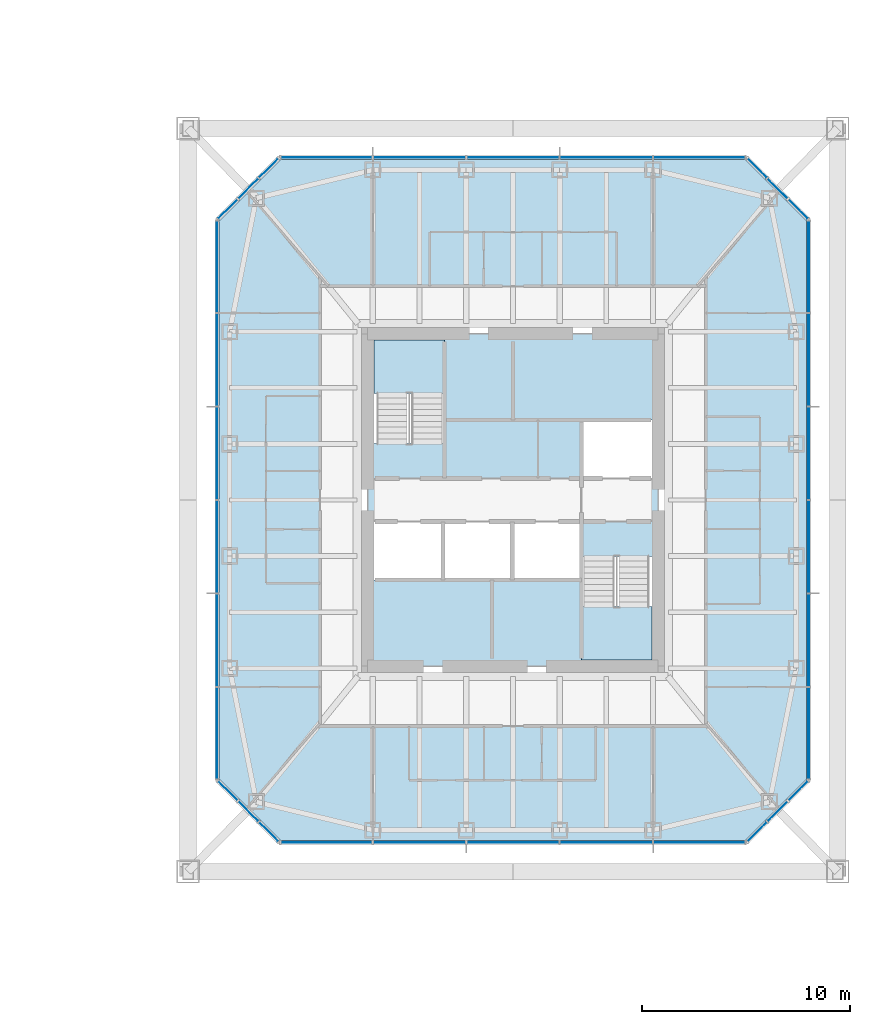
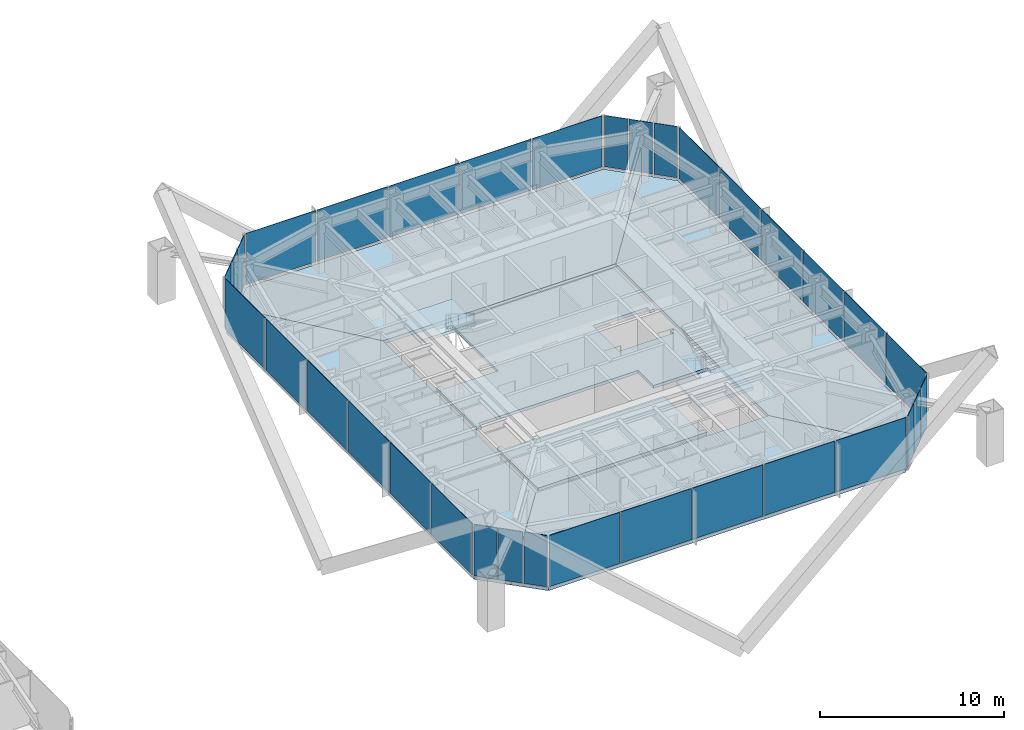
# One storey, part 10 of 23: 34 plates, 8 slabs, 10 elements without a shape of their own.
"""IFC4 building model written with IfcOpenShell, lengths in metres."""

from ifc_helpers import new_model, si_unit, direction, frame, origin, origin_2d, place, context, subcontext, project, spatial, polyline, rectangle, outline, extrude, material, layer, layer_set, constituent, constituent_set, type_object, element, aggregate, save


model = new_model("IFC4")

# Units and contexts
model_context = context("Model", 3, precision=1e-05, world=origin(), true_north=direction((0.0, 1.0)))
body_context = subcontext(model_context, "Body", "Model", "MODEL_VIEW")
ifc_project = project(units=[si_unit("LENGTHUNIT", "METRE"), si_unit("AREAUNIT", "SQUARE_METRE"), si_unit("VOLUMEUNIT", "CUBIC_METRE"), si_unit("PLANEANGLEUNIT", "RADIAN"), si_unit("MASSUNIT", "GRAM", prefix="KILO")], contexts=[model_context])

# Site, building, storey
site_placement = place(None, origin())
site = spatial("IfcSite", under=ifc_project, at=site_placement, CompositionType="ELEMENT")
building_placement = place(site_placement, origin())
building = spatial("IfcBuilding", under=site, at=building_placement, Name="Iwan Alto Co-Living Towers", CompositionType="ELEMENT")
storey_placement = place(building_placement, frame((0.0, 0.0, 122.5)))
storey = spatial("IfcBuildingStorey", under=building, at=storey_placement, Name="L33", CompositionType="ELEMENT", Elevation=122.5)

# Slabs
ifc_material_1 = material(Name="Concrete f'c 30 MPa", Category="concrete")
ifc_layer_1 = layer(ifc_material_1, 0.199951171875)
ifc_layer_set_1 = layer_set([ifc_layer_1], Name="CORE FLOOR SLAB 200")
slab_type_1 = type_object("IfcSlabType", Name="CORE FLOOR SLAB 200", PredefinedType="FLOOR", material=ifc_layer_set_1)
slab_1_placement = place(storey_placement, frame((0.0, 0.0, -0.199951171875)))
element("IfcSlab", 1, at=slab_1_placement, inside=storey, type_object=slab_type_1, Name="T2 core floor L33", PredefinedType="FLOOR", context=body_context, shape_type="SweptSolid", body=[
    extrude(outline(polyline([(70.0, -3.030029296875), (69.699951171875, -3.030029296875), (69.699951171875, -2.719970703125), (66.300048828125, -2.719970703125), (66.300048828125, -1.050048828125), (62.967041015625, -1.050048828125), (59.633056640625, -1.050048828125), (56.300048828125, -1.050048828125), (56.300048828125, -1.360107421875), (56.0, -1.360107421875), (56.0, 3.030029296875), (56.300048828125, 3.030029296875), (56.300048828125, 2.719970703125), (59.699951171875, 2.719970703125), (59.699951171875, 7.699951171875), (59.389892578125, 7.699951171875), (59.389892578125, 8.0), (70.0, 8.0), (70.0, 3.5400390625), (69.699951171875, 3.5400390625), (69.699951171875, 3.85009765625), (66.300048828125, 3.85009765625), (66.300048828125, 1.050048828125), (69.699951171875, 1.050048828125), (69.699951171875, 1.360107421875), (70.0, 1.360107421875), (70.0, -3.030029296875)])), origin(), (0.0, 0.0, 1.0), 0.199951171875),
])
slab_2_placement = place(storey_placement, frame((0.0, 0.0, -0.199951171875)))
element("IfcSlab", 2, at=slab_2_placement, inside=storey, type_object=slab_type_1, Name="T2 core floor L33", PredefinedType="FLOOR", context=body_context, shape_type="SweptSolid", body=[
    extrude(outline(polyline([(62.967041015625, -3.85009765625), (66.300048828125, -3.85009765625), (66.300048828125, -7.699951171875), (66.610107421875, -7.699951171875), (66.610107421875, -8.0), (56.0, -8.0), (56.0, -3.5400390625), (56.300048828125, -3.5400390625), (56.300048828125, -3.85009765625), (59.633056640625, -3.85009765625), (62.967041015625, -3.85009765625)])), origin(), (0.0, 0.0, 1.0), 0.199951171875),
])

# Curtain wall, plates
ifc_material_2 = material(Name="Bronze aluminium unitised frame", Category="aluminium")
curtain_wall_type_1 = type_object("IfcCurtainWallType", Name="CURTAIN WALL CW-C", PredefinedType="NOTDEFINED", material=ifc_material_2)
curtain_wall_1_placement = place(storey_placement, origin())
curtain_wall_1 = element("IfcCurtainWall", 3, at=curtain_wall_1_placement, inside=storey, type_object=curtain_wall_type_1, Name="T2 curtain wall S L33", PredefinedType="NOTDEFINED")
ifc_material_3 = material(Name="Bronze-tinted insulating glass", Category="glass")
ifc_layer_2 = layer(ifc_material_3, 0.031982421875)
ifc_layer_set_2 = layer_set([ifc_layer_2], Name="CW-C PANEL TINTED IGU 32")
plate_type_1 = type_object("IfcPlateType", Name="CW-C PANEL TINTED IGU 32", PredefinedType="CURTAIN_PANEL", material=ifc_layer_set_2)
plate_1_placement = place(storey_placement, frame((58.5, -16.5, 0.10009765625), z_axis=(0.0, 0.0, 1.0), x_axis=(1.0, 0.0, 0.0)))
plate_1 = element("IfcPlate", 4, at=plate_1_placement, type_object=plate_type_1, Name="CW-C panel 2.1", PredefinedType="CURTAIN_PANEL", context=body_context, shape_type="SweptSolid", body=[
    extrude(rectangle(XDim=4.419921875, YDim=0.031982421875, at=origin_2d()), origin(), (0.0, 0.0, 1.0), 3.39990234375),
])
plate_2_placement = place(storey_placement, frame((63.0, -16.5, 0.10009765625), z_axis=(0.0, 0.0, 1.0), x_axis=(1.0, 0.0, 0.0)))
plate_2 = element("IfcPlate", 5, at=plate_2_placement, type_object=plate_type_1, Name="CW-C panel 3.1", PredefinedType="CURTAIN_PANEL", context=body_context, shape_type="SweptSolid", body=[
    extrude(rectangle(XDim=4.419921875, YDim=0.031982421875, at=origin_2d()), origin(), (0.0, 0.0, 1.0), 3.39990234375),
])
plate_3_placement = place(storey_placement, frame((67.5, -16.5, 0.10009765625), z_axis=(0.0, 0.0, 1.0), x_axis=(1.0, 0.0, 0.0)))
plate_3 = element("IfcPlate", 6, at=plate_3_placement, type_object=plate_type_1, Name="CW-C panel 4.1", PredefinedType="CURTAIN_PANEL", context=body_context, shape_type="SweptSolid", body=[
    extrude(rectangle(XDim=4.419921875, YDim=0.031982421875, at=origin_2d()), origin(), (0.0, 0.0, 1.0), 3.39990234375),
])

curtain_wall_2_placement = place(storey_placement, origin())
curtain_wall_2 = element("IfcCurtainWall", 7, at=curtain_wall_2_placement, inside=storey, type_object=curtain_wall_type_1, Name="T2 curtain wall E L33", PredefinedType="NOTDEFINED")
plate_4_placement = place(storey_placement, frame((77.25, -6.75, 0.10009765625), z_axis=(0.0, 0.0, 1.0), x_axis=(0.0, 1.0, 0.0)))
plate_4 = element("IfcPlate", 8, at=plate_4_placement, type_object=plate_type_1, Name="CW-C panel 2.1", PredefinedType="CURTAIN_PANEL", context=body_context, shape_type="SweptSolid", body=[
    extrude(rectangle(XDim=4.419921875, YDim=0.031982421875, at=origin_2d()), origin(), (0.0, 0.0, 1.0), 3.39990234375),
])
plate_5_placement = place(storey_placement, frame((77.25, -2.25, 0.10009765625), z_axis=(0.0, 0.0, 1.0), x_axis=(0.0, 1.0, 0.0)))
plate_5 = element("IfcPlate", 9, at=plate_5_placement, type_object=plate_type_1, Name="CW-C panel 3.1", PredefinedType="CURTAIN_PANEL", context=body_context, shape_type="SweptSolid", body=[
    extrude(rectangle(XDim=4.419921875, YDim=0.031982421875, at=origin_2d()), origin(), (0.0, 0.0, 1.0), 3.39990234375),
])
plate_6_placement = place(storey_placement, frame((77.25, 2.25, 0.10009765625), z_axis=(0.0, 0.0, 1.0), x_axis=(0.0, 1.0, 0.0)))
plate_6 = element("IfcPlate", 10, at=plate_6_placement, type_object=plate_type_1, Name="CW-C panel 4.1", PredefinedType="CURTAIN_PANEL", context=body_context, shape_type="SweptSolid", body=[
    extrude(rectangle(XDim=4.419921875, YDim=0.031982421875, at=origin_2d()), origin(), (0.0, 0.0, 1.0), 3.39990234375),
])
plate_7_placement = place(storey_placement, frame((77.25, 6.75, 0.10009765625), z_axis=(0.0, 0.0, 1.0), x_axis=(0.0, 1.0, 0.0)))
plate_7 = element("IfcPlate", 11, at=plate_7_placement, type_object=plate_type_1, Name="CW-C panel 5.1", PredefinedType="CURTAIN_PANEL", context=body_context, shape_type="SweptSolid", body=[
    extrude(rectangle(XDim=4.419921875, YDim=0.031982421875, at=origin_2d()), origin(), (0.0, 0.0, 1.0), 3.39990234375),
])

curtain_wall_3_placement = place(storey_placement, origin())
curtain_wall_3 = element("IfcCurtainWall", 12, at=curtain_wall_3_placement, inside=storey, type_object=curtain_wall_type_1, Name="T2 curtain wall N L33", PredefinedType="NOTDEFINED")
plate_8_placement = place(storey_placement, frame((67.5, 16.5, 0.10009765625), z_axis=(0.0, 0.0, 1.0), x_axis=(-1.0, 0.0, 0.0)))
plate_8 = element("IfcPlate", 13, at=plate_8_placement, type_object=plate_type_1, Name="CW-C panel 2.1", PredefinedType="CURTAIN_PANEL", context=body_context, shape_type="SweptSolid", body=[
    extrude(rectangle(XDim=4.419921875, YDim=0.031982421875, at=origin_2d()), origin(), (0.0, 0.0, 1.0), 3.39990234375),
])
plate_9_placement = place(storey_placement, frame((63.0, 16.5, 0.10009765625), z_axis=(0.0, 0.0, 1.0), x_axis=(-1.0, 0.0, 0.0)))
plate_9 = element("IfcPlate", 14, at=plate_9_placement, type_object=plate_type_1, Name="CW-C panel 3.1", PredefinedType="CURTAIN_PANEL", context=body_context, shape_type="SweptSolid", body=[
    extrude(rectangle(XDim=4.419921875, YDim=0.031982421875, at=origin_2d()), origin(), (0.0, 0.0, 1.0), 3.39990234375),
])
plate_10_placement = place(storey_placement, frame((58.5, 16.5, 0.10009765625), z_axis=(0.0, 0.0, 1.0), x_axis=(-1.0, 0.0, 0.0)))
plate_10 = element("IfcPlate", 15, at=plate_10_placement, type_object=plate_type_1, Name="CW-C panel 4.1", PredefinedType="CURTAIN_PANEL", context=body_context, shape_type="SweptSolid", body=[
    extrude(rectangle(XDim=4.419921875, YDim=0.031982421875, at=origin_2d()), origin(), (0.0, 0.0, 1.0), 3.39990234375),
])

curtain_wall_4_placement = place(storey_placement, origin())
curtain_wall_4 = element("IfcCurtainWall", 16, at=curtain_wall_4_placement, inside=storey, type_object=curtain_wall_type_1, Name="T2 curtain wall W L33", PredefinedType="NOTDEFINED")
plate_11_placement = place(storey_placement, frame((48.75, 6.75, 0.10009765625), z_axis=(0.0, 0.0, 1.0), x_axis=(0.0, -1.0, 0.0)))
plate_11 = element("IfcPlate", 17, at=plate_11_placement, type_object=plate_type_1, Name="CW-C panel 2.1", PredefinedType="CURTAIN_PANEL", context=body_context, shape_type="SweptSolid", body=[
    extrude(rectangle(XDim=4.419921875, YDim=0.031982421875, at=origin_2d()), origin(), (0.0, 0.0, 1.0), 3.39990234375),
])
plate_12_placement = place(storey_placement, frame((48.75, 2.25, 0.10009765625), z_axis=(0.0, 0.0, 1.0), x_axis=(0.0, -1.0, 0.0)))
plate_12 = element("IfcPlate", 18, at=plate_12_placement, type_object=plate_type_1, Name="CW-C panel 3.1", PredefinedType="CURTAIN_PANEL", context=body_context, shape_type="SweptSolid", body=[
    extrude(rectangle(XDim=4.419921875, YDim=0.031982421875, at=origin_2d()), origin(), (0.0, 0.0, 1.0), 3.39990234375),
])
plate_13_placement = place(storey_placement, frame((48.75, -2.25, 0.10009765625), z_axis=(0.0, 0.0, 1.0), x_axis=(0.0, -1.0, 0.0)))
plate_13 = element("IfcPlate", 19, at=plate_13_placement, type_object=plate_type_1, Name="CW-C panel 4.1", PredefinedType="CURTAIN_PANEL", context=body_context, shape_type="SweptSolid", body=[
    extrude(rectangle(XDim=4.419921875, YDim=0.031982421875, at=origin_2d()), origin(), (0.0, 0.0, 1.0), 3.39990234375),
])
plate_14_placement = place(storey_placement, frame((48.75, -6.75, 0.10009765625), z_axis=(0.0, 0.0, 1.0), x_axis=(0.0, -1.0, 0.0)))
plate_14 = element("IfcPlate", 20, at=plate_14_placement, type_object=plate_type_1, Name="CW-C panel 5.1", PredefinedType="CURTAIN_PANEL", context=body_context, shape_type="SweptSolid", body=[
    extrude(rectangle(XDim=4.419921875, YDim=0.031982421875, at=origin_2d()), origin(), (0.0, 0.0, 1.0), 3.39990234375),
])

# Plate
ifc_material_4 = material(Name="Insulated bronze aluminium spandrel panel", Category="aluminium")
ifc_layer_3 = layer(ifc_material_4, 0.031982421875)
ifc_layer_set_3 = layer_set([ifc_layer_3], Name="CW-C SPANDREL PANEL 32")
plate_type_2 = type_object("IfcPlateType", Name="CW-C SPANDREL PANEL 32", PredefinedType="CURTAIN_PANEL", material=ifc_layer_set_3)
plate_15_placement = place(storey_placement, frame((54.02001953125, -16.5, 0.10009765625), z_axis=(0.0, 0.0, 1.0), x_axis=(1.0, 0.0, 0.0)))
plate_15 = element("IfcPlate", 21, at=plate_15_placement, type_object=plate_type_2, Name="CW-C spandrel panel 1.1 (braced bay)", PredefinedType="CURTAIN_PANEL", context=body_context, shape_type="SweptSolid", body=[
    extrude(rectangle(XDim=4.3798828125, YDim=0.031982421875, at=origin_2d()), origin(), (0.0, 0.0, 1.0), 3.39990234375),
])

plate_16_placement = place(storey_placement, frame((71.97998046875, -16.5, 0.10009765625), z_axis=(0.0, 0.0, 1.0), x_axis=(1.0, 0.0, 0.0)))
plate_16 = element("IfcPlate", 22, at=plate_16_placement, type_object=plate_type_2, Name="CW-C spandrel panel 5.1 (braced bay)", PredefinedType="CURTAIN_PANEL", context=body_context, shape_type="SweptSolid", body=[
    extrude(rectangle(XDim=4.3798828125, YDim=0.031982421875, at=origin_2d()), origin(), (0.0, 0.0, 1.0), 3.39990234375),
])

aggregate(curtain_wall_1, [plate_1, plate_2, plate_3, plate_15, plate_16])

plate_17_placement = place(storey_placement, frame((77.25, -11.22998046875, 0.10009765625), z_axis=(0.0, 0.0, 1.0), x_axis=(0.0, 1.0, 0.0)))
plate_17 = element("IfcPlate", 23, at=plate_17_placement, type_object=plate_type_2, Name="CW-C spandrel panel 1.1 (braced bay)", PredefinedType="CURTAIN_PANEL", context=body_context, shape_type="SweptSolid", body=[
    extrude(rectangle(XDim=4.3798828125, YDim=0.031982421875, at=origin_2d()), origin(), (0.0, 0.0, 1.0), 3.39990234375),
])

plate_18_placement = place(storey_placement, frame((77.25, 11.22998046875, 0.10009765625), z_axis=(0.0, 0.0, 1.0), x_axis=(0.0, 1.0, 0.0)))
plate_18 = element("IfcPlate", 24, at=plate_18_placement, type_object=plate_type_2, Name="CW-C spandrel panel 6.1 (braced bay)", PredefinedType="CURTAIN_PANEL", context=body_context, shape_type="SweptSolid", body=[
    extrude(rectangle(XDim=4.3798828125, YDim=0.031982421875, at=origin_2d()), origin(), (0.0, 0.0, 1.0), 3.39990234375),
])

aggregate(curtain_wall_2, [plate_4, plate_5, plate_6, plate_7, plate_17, plate_18])

plate_19_placement = place(storey_placement, frame((71.97998046875, 16.5, 0.10009765625), z_axis=(0.0, 0.0, 1.0), x_axis=(-1.0, 0.0, 0.0)))
plate_19 = element("IfcPlate", 25, at=plate_19_placement, type_object=plate_type_2, Name="CW-C spandrel panel 1.1 (braced bay)", PredefinedType="CURTAIN_PANEL", context=body_context, shape_type="SweptSolid", body=[
    extrude(rectangle(XDim=4.3798828125, YDim=0.031982421875, at=origin_2d()), origin(), (0.0, 0.0, 1.0), 3.39990234375),
])

plate_20_placement = place(storey_placement, frame((54.02001953125, 16.5, 0.10009765625), z_axis=(0.0, 0.0, 1.0), x_axis=(-1.0, 0.0, 0.0)))
plate_20 = element("IfcPlate", 26, at=plate_20_placement, type_object=plate_type_2, Name="CW-C spandrel panel 5.1 (braced bay)", PredefinedType="CURTAIN_PANEL", context=body_context, shape_type="SweptSolid", body=[
    extrude(rectangle(XDim=4.3798828125, YDim=0.031982421875, at=origin_2d()), origin(), (0.0, 0.0, 1.0), 3.39990234375),
])

aggregate(curtain_wall_3, [plate_8, plate_9, plate_10, plate_19, plate_20])

plate_21_placement = place(storey_placement, frame((48.75, 11.22998046875, 0.10009765625), z_axis=(0.0, 0.0, 1.0), x_axis=(0.0, -1.0, 0.0)))
plate_21 = element("IfcPlate", 27, at=plate_21_placement, type_object=plate_type_2, Name="CW-C spandrel panel 1.1 (braced bay)", PredefinedType="CURTAIN_PANEL", context=body_context, shape_type="SweptSolid", body=[
    extrude(rectangle(XDim=4.3798828125, YDim=0.031982421875, at=origin_2d()), origin(), (0.0, 0.0, 1.0), 3.39990234375),
])

plate_22_placement = place(storey_placement, frame((48.75, -11.22998046875, 0.10009765625), z_axis=(0.0, 0.0, 1.0), x_axis=(0.0, -1.0, 0.0)))
plate_22 = element("IfcPlate", 28, at=plate_22_placement, type_object=plate_type_2, Name="CW-C spandrel panel 6.1 (braced bay)", PredefinedType="CURTAIN_PANEL", context=body_context, shape_type="SweptSolid", body=[
    extrude(rectangle(XDim=4.3798828125, YDim=0.031982421875, at=origin_2d()), origin(), (0.0, 0.0, 1.0), 3.39990234375),
])

aggregate(curtain_wall_4, [plate_11, plate_12, plate_13, plate_14, plate_21, plate_22])

# Curtain wall, plates
ifc_material_5 = material(Name="Bronze aluminium unitised frame", Category="aluminium")
curtain_wall_type_2 = type_object("IfcCurtainWallType", Name="CURTAIN WALL CW-D", PredefinedType="NOTDEFINED", material=ifc_material_5)
curtain_wall_5_placement = place(storey_placement, origin())
curtain_wall_5 = element("IfcCurtainWall", 29, at=curtain_wall_5_placement, inside=storey, type_object=curtain_wall_type_2, Name="T2 chamfer curtain wall SE L33", PredefinedType="NOTDEFINED")
ifc_material_6 = material(Name="Bronze-tinted insulating glass", Category="glass")
ifc_layer_4 = layer(ifc_material_6, 0.031982421875)
ifc_layer_set_4 = layer_set([ifc_layer_4], Name="CW-D PANEL TINTED IGU 32")
plate_type_3 = type_object("IfcPlateType", Name="CW-D PANEL TINTED IGU 32", PredefinedType="CURTAIN_PANEL", material=ifc_layer_set_4)
plate_23_placement = place(storey_placement, frame((74.76416015625, -15.98583984375, 0.10009765625), z_axis=(0.0, 0.0, 1.0), x_axis=(0.707106781187, 0.707106781187, 0.0)))
plate_23 = element("IfcPlate", 30, at=plate_23_placement, type_object=plate_type_3, Name="CW-D panel 1.1", PredefinedType="CURTAIN_PANEL", context=body_context, shape_type="SweptSolid", body=[
    extrude(rectangle(XDim=1.294189453125, YDim=0.031982421875, at=origin_2d()), origin(), (0.0, 0.0, 1.0), 3.39990234375),
])
plate_24_placement = place(storey_placement, frame((75.75, -15.0, 0.10009765625), z_axis=(0.0, 0.0, 1.0), x_axis=(0.707106781187, 0.707106781187, 0.0)))
plate_24 = element("IfcPlate", 31, at=plate_24_placement, type_object=plate_type_3, Name="CW-D panel 2.1", PredefinedType="CURTAIN_PANEL", context=body_context, shape_type="SweptSolid", body=[
    extrude(rectangle(XDim=1.334228515625, YDim=0.031982421875, at=origin_2d()), origin(), (0.0, 0.0, 1.0), 3.39990234375),
])
plate_25_placement = place(storey_placement, frame((76.73583984375, -14.01416015625, 0.10009765625), z_axis=(0.0, 0.0, 1.0), x_axis=(0.707106781187, 0.707106781187, 0.0)))
plate_25 = element("IfcPlate", 32, at=plate_25_placement, type_object=plate_type_3, Name="CW-D panel 3.1", PredefinedType="CURTAIN_PANEL", context=body_context, shape_type="SweptSolid", body=[
    extrude(rectangle(XDim=1.294189453125, YDim=0.031982421875, at=origin_2d()), origin(), (0.0, 0.0, 1.0), 3.39990234375),
])
aggregate(curtain_wall_5, [plate_23, plate_24, plate_25])

curtain_wall_6_placement = place(storey_placement, origin())
curtain_wall_6 = element("IfcCurtainWall", 33, at=curtain_wall_6_placement, inside=storey, type_object=curtain_wall_type_2, Name="T2 chamfer curtain wall NE L33", PredefinedType="NOTDEFINED")
plate_26_placement = place(storey_placement, frame((76.73583984375, 14.01416015625, 0.10009765625), z_axis=(0.0, 0.0, 1.0), x_axis=(-0.707106781187, 0.707106781187, 0.0)))
plate_26 = element("IfcPlate", 34, at=plate_26_placement, type_object=plate_type_3, Name="CW-D panel 1.1", PredefinedType="CURTAIN_PANEL", context=body_context, shape_type="SweptSolid", body=[
    extrude(rectangle(XDim=1.294189453125, YDim=0.031982421875, at=origin_2d()), origin(), (0.0, 0.0, 1.0), 3.39990234375),
])
plate_27_placement = place(storey_placement, frame((75.75, 15.0, 0.10009765625), z_axis=(0.0, 0.0, 1.0), x_axis=(-0.707106781187, 0.707106781187, 0.0)))
plate_27 = element("IfcPlate", 35, at=plate_27_placement, type_object=plate_type_3, Name="CW-D panel 2.1", PredefinedType="CURTAIN_PANEL", context=body_context, shape_type="SweptSolid", body=[
    extrude(rectangle(XDim=1.334228515625, YDim=0.031982421875, at=origin_2d()), origin(), (0.0, 0.0, 1.0), 3.39990234375),
])
plate_28_placement = place(storey_placement, frame((74.76416015625, 15.98583984375, 0.10009765625), z_axis=(0.0, 0.0, 1.0), x_axis=(-0.707106781187, 0.707106781187, 0.0)))
plate_28 = element("IfcPlate", 36, at=plate_28_placement, type_object=plate_type_3, Name="CW-D panel 3.1", PredefinedType="CURTAIN_PANEL", context=body_context, shape_type="SweptSolid", body=[
    extrude(rectangle(XDim=1.294189453125, YDim=0.031982421875, at=origin_2d()), origin(), (0.0, 0.0, 1.0), 3.39990234375),
])
aggregate(curtain_wall_6, [plate_26, plate_27, plate_28])

curtain_wall_7_placement = place(storey_placement, origin())
curtain_wall_7 = element("IfcCurtainWall", 37, at=curtain_wall_7_placement, inside=storey, type_object=curtain_wall_type_2, Name="T2 chamfer curtain wall NW L33", PredefinedType="NOTDEFINED")
plate_29_placement = place(storey_placement, frame((51.23583984375, 15.98583984375, 0.10009765625), z_axis=(0.0, 0.0, 1.0), x_axis=(-0.707106781187, -0.707106781187, 0.0)))
plate_29 = element("IfcPlate", 38, at=plate_29_placement, type_object=plate_type_3, Name="CW-D panel 1.1", PredefinedType="CURTAIN_PANEL", context=body_context, shape_type="SweptSolid", body=[
    extrude(rectangle(XDim=1.294189453125, YDim=0.031982421875, at=origin_2d()), origin(), (0.0, 0.0, 1.0), 3.39990234375),
])
plate_30_placement = place(storey_placement, frame((50.25, 15.0, 0.10009765625), z_axis=(0.0, 0.0, 1.0), x_axis=(-0.707106781187, -0.707106781187, 0.0)))
plate_30 = element("IfcPlate", 39, at=plate_30_placement, type_object=plate_type_3, Name="CW-D panel 2.1", PredefinedType="CURTAIN_PANEL", context=body_context, shape_type="SweptSolid", body=[
    extrude(rectangle(XDim=1.334228515625, YDim=0.031982421875, at=origin_2d()), origin(), (0.0, 0.0, 1.0), 3.39990234375),
])
plate_31_placement = place(storey_placement, frame((49.26416015625, 14.01416015625, 0.10009765625), z_axis=(0.0, 0.0, 1.0), x_axis=(-0.707106781187, -0.707106781187, 0.0)))
plate_31 = element("IfcPlate", 40, at=plate_31_placement, type_object=plate_type_3, Name="CW-D panel 3.1", PredefinedType="CURTAIN_PANEL", context=body_context, shape_type="SweptSolid", body=[
    extrude(rectangle(XDim=1.294189453125, YDim=0.031982421875, at=origin_2d()), origin(), (0.0, 0.0, 1.0), 3.39990234375),
])
aggregate(curtain_wall_7, [plate_29, plate_30, plate_31])

curtain_wall_8_placement = place(storey_placement, origin())
curtain_wall_8 = element("IfcCurtainWall", 41, at=curtain_wall_8_placement, inside=storey, type_object=curtain_wall_type_2, Name="T2 chamfer curtain wall SW L33", PredefinedType="NOTDEFINED")
plate_32_placement = place(storey_placement, frame((49.26416015625, -14.01416015625, 0.10009765625), z_axis=(0.0, 0.0, 1.0), x_axis=(0.707106781187, -0.707106781187, 0.0)))
plate_32 = element("IfcPlate", 42, at=plate_32_placement, type_object=plate_type_3, Name="CW-D panel 1.1", PredefinedType="CURTAIN_PANEL", context=body_context, shape_type="SweptSolid", body=[
    extrude(rectangle(XDim=1.294189453125, YDim=0.031982421875, at=origin_2d()), origin(), (0.0, 0.0, 1.0), 3.39990234375),
])
plate_33_placement = place(storey_placement, frame((50.25, -15.0, 0.10009765625), z_axis=(0.0, 0.0, 1.0), x_axis=(0.707106781187, -0.707106781187, 0.0)))
plate_33 = element("IfcPlate", 43, at=plate_33_placement, type_object=plate_type_3, Name="CW-D panel 2.1", PredefinedType="CURTAIN_PANEL", context=body_context, shape_type="SweptSolid", body=[
    extrude(rectangle(XDim=1.334228515625, YDim=0.031982421875, at=origin_2d()), origin(), (0.0, 0.0, 1.0), 3.39990234375),
])
plate_34_placement = place(storey_placement, frame((51.23583984375, -15.98583984375, 0.10009765625), z_axis=(0.0, 0.0, 1.0), x_axis=(0.707106781187, -0.707106781187, 0.0)))
plate_34 = element("IfcPlate", 44, at=plate_34_placement, type_object=plate_type_3, Name="CW-D panel 3.1", PredefinedType="CURTAIN_PANEL", context=body_context, shape_type="SweptSolid", body=[
    extrude(rectangle(XDim=1.294189453125, YDim=0.031982421875, at=origin_2d()), origin(), (0.0, 0.0, 1.0), 3.39990234375),
])
aggregate(curtain_wall_8, [plate_32, plate_33, plate_34])

# Stair, slab
ifc_material_7 = material(Name="Steel ASTM A36", Category="steel")
ifc_constituent_1 = constituent(ifc_material_7, Name="Stringers", Category="LoadBearing")
ifc_material_8 = material(Name="Concrete f'c 30 MPa", Category="concrete")
ifc_constituent_2 = constituent(ifc_material_8, Name="Tread fill", Category="Finish")
ifc_constituent_set = constituent_set(constituents=[ifc_constituent_1, ifc_constituent_2], Name="STAIR 3500 TWO-FLIGHT T2 CORE")
stair_type = type_object("IfcStairType", Name="STAIR 3500 TWO-FLIGHT T2 CORE", PredefinedType="HALF_TURN_STAIR", material=ifc_constituent_set)
stair_1_placement = place(storey_placement, origin())
stair_1 = element("IfcStair", 45, at=stair_1_placement, inside=storey, type_object=stair_type, Name="Stair T2-S1 L33 to L34", PredefinedType="HALF_TURN_STAIR")
ifc_material_9 = material(Name="Concrete f'c 30 MPa", Category="concrete")
ifc_layer_5 = layer(ifc_material_9, 0.199951171875)
ifc_layer_set_5 = layer_set([ifc_layer_5], Name="STAIR LANDING 200")
slab_type_2 = type_object("IfcSlabType", Name="STAIR LANDING 200", PredefinedType="LANDING", material=ifc_layer_set_5)
slab_3_placement = place(storey_placement, frame((0.0, 0.0, 1.550048828125)))
slab_3 = element("IfcSlab", 46, at=slab_3_placement, type_object=slab_type_2, Name="T2-S1 landing 1", PredefinedType="LANDING", context=body_context, shape_type="SweptSolid", body=[
    extrude(outline(polyline([(56.300048828125, 5.139892578125), (56.300048828125, 7.699951171875), (59.699951171875, 7.699951171875), (59.699951171875, 5.139892578125), (56.300048828125, 5.139892578125)])), origin(), (0.0, 0.0, 1.0), 0.199951171875),
])
aggregate(stair_1, [slab_3])

stair_2_placement = place(storey_placement, origin())
stair_2 = element("IfcStair", 47, at=stair_2_placement, inside=storey, type_object=stair_type, Name="Stair T2-S2 L33 to L34", PredefinedType="HALF_TURN_STAIR")
slab_4_placement = place(storey_placement, frame((0.0, 0.0, 1.550048828125)))
slab_4 = element("IfcSlab", 48, at=slab_4_placement, type_object=slab_type_2, Name="T2-S2 landing 1", PredefinedType="LANDING", context=body_context, shape_type="SweptSolid", body=[
    extrude(outline(polyline([(66.300048828125, -5.139892578125), (66.300048828125, -7.699951171875), (69.699951171875, -7.699951171875), (69.699951171875, -5.139892578125), (66.300048828125, -5.139892578125)])), origin(), (0.0, 0.0, 1.0), 0.199951171875),
])
aggregate(stair_2, [slab_4])

# Slabs
ifc_material_10 = material(Name="Concrete f'c 30 MPa", Category="concrete")
ifc_layer_6 = layer(ifc_material_10, 0.22998046875)
ifc_layer_set_6 = layer_set([ifc_layer_6], Name="T2 FLOOR SLAB 230")
slab_type_3 = type_object("IfcSlabType", Name="T2 FLOOR SLAB 230", PredefinedType="FLOOR", material=ifc_layer_set_6)
slab_5_placement = place(storey_placement, frame((0.0, 0.0, -0.22998046875)))
element("IfcSlab", 49, at=slab_5_placement, inside=storey, type_object=slab_type_3, Name="T2 floor slab L33 S pour", PredefinedType="FLOOR", context=body_context, shape_type="SweptSolid", body=[
    extrude(outline(polyline([(74.19140625, -16.39990234375), (51.80859375, -16.39990234375), (50.330810546875, -14.92236328125), (55.699951171875, -8.300048828125), (70.300048828125, -8.300048828125), (75.669189453125, -14.92236328125), (74.19140625, -16.39990234375)])), origin(), (0.0, 0.0, 1.0), 0.22998046875),
])
slab_6_placement = place(storey_placement, frame((0.0, 0.0, -0.22998046875)))
element("IfcSlab", 50, at=slab_6_placement, inside=storey, type_object=slab_type_3, Name="T2 floor slab L33 E pour", PredefinedType="FLOOR", context=body_context, shape_type="SweptSolid", body=[
    extrude(outline(polyline([(77.14990234375, 13.44140625), (77.14990234375, -13.44140625), (75.669189453125, -14.92236328125), (70.300048828125, -8.300048828125), (70.300048828125, 8.300048828125), (75.669189453125, 14.92236328125), (77.14990234375, 13.44140625)])), origin(), (0.0, 0.0, 1.0), 0.22998046875),
])
slab_7_placement = place(storey_placement, frame((0.0, 0.0, -0.22998046875)))
element("IfcSlab", 51, at=slab_7_placement, inside=storey, type_object=slab_type_3, Name="T2 floor slab L33 N pour", PredefinedType="FLOOR", context=body_context, shape_type="SweptSolid", body=[
    extrude(outline(polyline([(51.80859375, 16.39990234375), (74.19140625, 16.39990234375), (75.669189453125, 14.92236328125), (70.300048828125, 8.300048828125), (55.699951171875, 8.300048828125), (50.330810546875, 14.92236328125), (51.80859375, 16.39990234375)])), origin(), (0.0, 0.0, 1.0), 0.22998046875),
])
slab_8_placement = place(storey_placement, frame((0.0, 0.0, -0.22998046875)))
element("IfcSlab", 52, at=slab_8_placement, inside=storey, type_object=slab_type_3, Name="T2 floor slab L33 W pour", PredefinedType="FLOOR", context=body_context, shape_type="SweptSolid", body=[
    extrude(outline(polyline([(48.85009765625, 13.44140625), (50.330810546875, 14.92236328125), (55.699951171875, 8.300048828125), (55.699951171875, -8.300048828125), (50.330810546875, -14.92236328125), (48.85009765625, -13.44140625), (48.85009765625, 13.44140625)])), origin(), (0.0, 0.0, 1.0), 0.22998046875),
])

save(model, "model.ifc")
